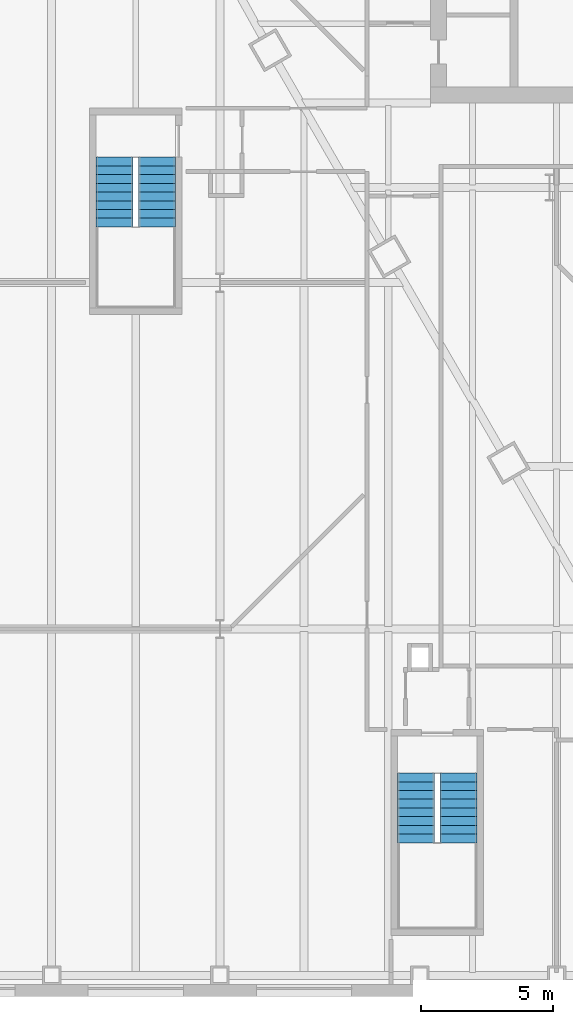
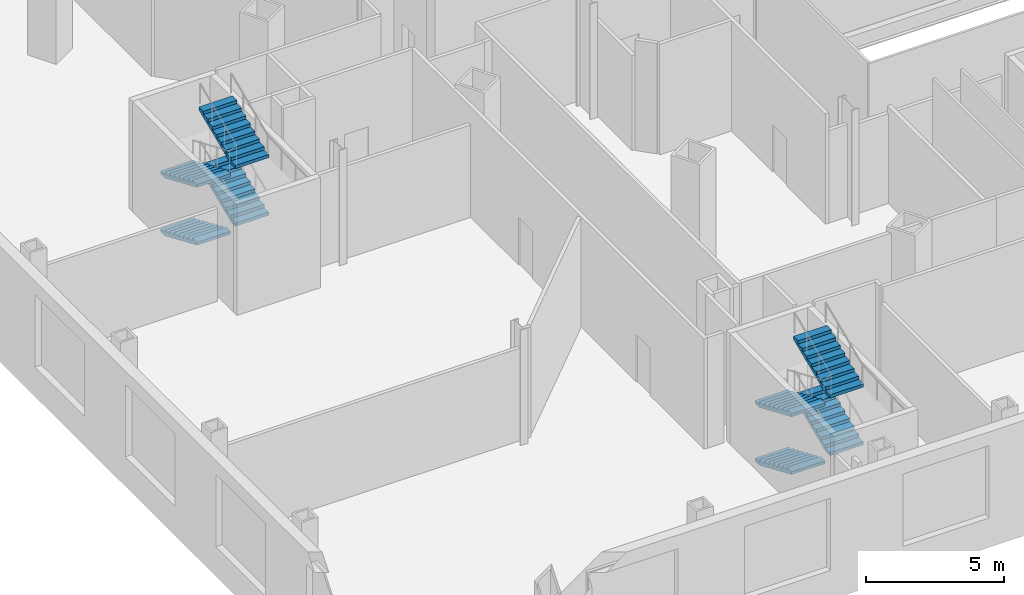
# One storey, part 15 of 20: 8 stair flights, 2 elements without a shape of their own.
"""IFC4 building model written with IfcOpenShell, lengths in metres."""

from ifc_helpers import new_model, si_unit, direction, frame, origin, place, context, subcontext, project, spatial, polygons, material, type_object, element, aggregate, save


model = new_model("IFC4")

# Units and contexts
model_context = context("Model", 3, precision=1e-05, world=origin(), true_north=direction((0.0, 1.0)))
body_context = subcontext(model_context, "Body", "Model", "MODEL_VIEW")
ifc_project = project(units=[si_unit("LENGTHUNIT", "METRE"), si_unit("AREAUNIT", "SQUARE_METRE"), si_unit("VOLUMEUNIT", "CUBIC_METRE"), si_unit("PLANEANGLEUNIT", "RADIAN"), si_unit("MASSUNIT", "GRAM", prefix="KILO")], contexts=[model_context])

# Site, building, storey
site_placement = place(None, origin())
site = spatial("IfcSite", under=ifc_project, at=site_placement, CompositionType="ELEMENT")
building_placement = place(site_placement, origin())
building = spatial("IfcBuilding", under=site, at=building_placement, Name="Njiva Tower", CompositionType="ELEMENT")
storey_placement = place(building_placement, frame((0.0, 0.0, 18.6)))
storey = spatial("IfcBuildingStorey", under=building, at=storey_placement, Name="L03", CompositionType="ELEMENT", Elevation=18.6)

# Stair, stair flights
ifc_material = material(Name="Concrete C40/50", Category="concrete")
stair_type = type_object("IfcStairType", Name="ST2 Exit stair 1400", PredefinedType="HALF_TURN_STAIR", material=ifc_material)
stair_1_placement = place(storey_placement, origin())
stair_1 = element("IfcStair", 1, at=stair_1_placement, inside=storey, type_object=stair_type, Name="Stair D", PredefinedType="DOUBLE_RETURN_STAIR")
stair_flight_type = type_object("IfcStairFlightType", Name="FL2 Stair flight 1400", PredefinedType="STRAIGHT", material=ifc_material)
stair_flight_1_placement = place(storey_placement, frame((-18.05, -25.35, 0.0), z_axis=(0.0, 0.0, 1.0), x_axis=(0.0, -1.0, 0.0)))
stair_flight_1 = element("IfcStairFlight", 2, at=stair_flight_1_placement, type_object=stair_flight_type, Name="ST-D flight 1", NumberOfRisers=9, NumberOfTreads=8, PredefinedType="STRAIGHT", RiserHeight=0.141666667, TreadLength=0.33, context=body_context, shape_type="Tessellation", body=[
    polygons([(0.0, 0.7, 0.0), (0.0, 0.35, 0.0), (0.0, 0.0, 0.0), (0.0, -0.35, 0.0), (0.0, -0.7, 0.0), (0.0, 0.7, 0.1417), (0.0, 0.35, 0.1417), (0.0, 0.0, 0.1417), (0.0, -0.35, 0.1417), (0.0, -0.7, 0.1417), (0.33, 0.7, 0.1417), (0.33, 0.35, 0.1417), (0.33, 0.0, 0.1417), (0.33, -0.35, 0.1417), (0.33, -0.7, 0.1417), (0.33, 0.7, 0.2833), (0.33, 0.35, 0.2833), (0.33, 0.0, 0.2833), (0.33, -0.35, 0.2833), (0.33, -0.7, 0.2833), (0.66, 0.7, 0.2833), (0.66, 0.35, 0.2833), (0.66, 0.0, 0.2833), (0.66, -0.35, 0.2833), (0.66, -0.7, 0.2833), (0.66, 0.7, 0.425), (0.66, 0.35, 0.425), (0.66, 0.0, 0.425), (0.66, -0.35, 0.425), (0.66, -0.7, 0.425), (0.99, 0.7, 0.425), (0.99, 0.35, 0.425), (0.99, 0.0, 0.425), (0.99, -0.35, 0.425), (0.99, -0.7, 0.425), (0.99, 0.7, 0.5667), (0.99, 0.35, 0.5667), (0.99, 0.0, 0.5667), (0.99, -0.35, 0.5667), (0.99, -0.7, 0.5667), (1.32, 0.7, 0.5667), (1.32, 0.35, 0.5667), (1.32, 0.0, 0.5667), (1.32, -0.35, 0.5667), (1.32, -0.7, 0.5667), (1.32, 0.7, 0.7083), (1.32, 0.35, 0.7083), (1.32, 0.0, 0.7083), (1.32, -0.35, 0.7083), (1.32, -0.7, 0.7083), (1.65, 0.7, 0.7083), (1.65, 0.35, 0.7083), (1.65, 0.0, 0.7083), (1.65, -0.35, 0.7083), (1.65, -0.7, 0.7083), (1.65, 0.7, 0.85), (1.65, 0.35, 0.85), (1.65, 0.0, 0.85), (1.65, -0.35, 0.85), (1.65, -0.7, 0.85), (1.98, 0.7, 0.85), (1.98, 0.35, 0.85), (1.98, 0.0, 0.85), (1.98, -0.35, 0.85), (1.98, -0.7, 0.85), (1.98, 0.7, 0.9917), (1.98, 0.35, 0.9917), (1.98, 0.0, 0.9917), (1.98, -0.35, 0.9917), (1.98, -0.7, 0.9917), (2.31, 0.7, 0.9917), (2.31, 0.35, 0.9917), (2.31, 0.0, 0.9917), (2.31, -0.35, 0.9917), (2.31, -0.7, 0.9917), (2.31, 0.7, 1.1333), (2.31, 0.35, 1.1333), (2.31, 0.0, 1.1333), (2.31, -0.35, 1.1333), (2.31, -0.7, 1.1333), (2.64, 0.7, 1.1333), (2.64, 0.35, 1.1333), (2.64, 0.0, 1.1333), (2.64, -0.35, 1.1333), (2.64, -0.7, 1.1333), (2.64, 0.7, 1.0027), (2.64, 0.35, 1.0027), (2.64, 0.0, 1.0027), (2.64, -0.35, 1.0027), (2.64, -0.7, 1.0027), (0.3042, 0.7, 0.0), (0.3042, 0.35, 0.0), (0.3042, 0.0, 0.0), (0.3042, -0.35, 0.0), (0.3042, -0.7, 0.0)], [[[1, 6, 11, 16, 21, 26, 31, 36, 41, 46, 51, 56, 61, 66, 71, 76, 81, 86, 91]], [[95, 90, 85, 80, 75, 70, 65, 60, 55, 50, 45, 40, 35, 30, 25, 20, 15, 10, 5]], [[6, 1, 2, 7]], [[7, 2, 3, 8]], [[8, 3, 4, 9]], [[9, 4, 5, 10]], [[11, 6, 7, 12]], [[12, 7, 8, 13]], [[13, 8, 9, 14]], [[14, 9, 10, 15]], [[16, 11, 12, 17]], [[17, 12, 13, 18]], [[18, 13, 14, 19]], [[19, 14, 15, 20]], [[21, 16, 17, 22]], [[22, 17, 18, 23]], [[23, 18, 19, 24]], [[24, 19, 20, 25]], [[26, 21, 22, 27]], [[27, 22, 23, 28]], [[28, 23, 24, 29]], [[29, 24, 25, 30]], [[31, 26, 27, 32]], [[32, 27, 28, 33]], [[33, 28, 29, 34]], [[34, 29, 30, 35]], [[36, 31, 32, 37]], [[37, 32, 33, 38]], [[38, 33, 34, 39]], [[39, 34, 35, 40]], [[41, 36, 37, 42]], [[42, 37, 38, 43]], [[43, 38, 39, 44]], [[44, 39, 40, 45]], [[46, 41, 42, 47]], [[47, 42, 43, 48]], [[48, 43, 44, 49]], [[49, 44, 45, 50]], [[51, 46, 47, 52]], [[52, 47, 48, 53]], [[53, 48, 49, 54]], [[54, 49, 50, 55]], [[56, 51, 52, 57]], [[57, 52, 53, 58]], [[58, 53, 54, 59]], [[59, 54, 55, 60]], [[61, 56, 57, 62]], [[62, 57, 58, 63]], [[63, 58, 59, 64]], [[64, 59, 60, 65]], [[66, 61, 62, 67]], [[67, 62, 63, 68]], [[68, 63, 64, 69]], [[69, 64, 65, 70]], [[71, 66, 67, 72]], [[72, 67, 68, 73]], [[73, 68, 69, 74]], [[74, 69, 70, 75]], [[76, 71, 72, 77]], [[77, 72, 73, 78]], [[78, 73, 74, 79]], [[79, 74, 75, 80]], [[81, 76, 77, 82]], [[82, 77, 78, 83]], [[83, 78, 79, 84]], [[84, 79, 80, 85]], [[86, 81, 82, 87]], [[87, 82, 83, 88]], [[88, 83, 84, 89]], [[89, 84, 85, 90]], [[91, 86, 87, 92]], [[92, 87, 88, 93]], [[93, 88, 89, 94]], [[94, 89, 90, 95]], [[1, 91, 92, 2]], [[2, 92, 93, 3]], [[3, 93, 94, 4]], [[4, 94, 95, 5]]], closed=True),
])
stair_flight_2_placement = place(storey_placement, frame((-16.45, -27.99, 1.275), z_axis=(0.0, 0.0, 1.0), x_axis=(0.0, 1.0, 0.0)))
stair_flight_2 = element("IfcStairFlight", 3, at=stair_flight_2_placement, type_object=stair_flight_type, Name="ST-D flight 2", NumberOfRisers=9, NumberOfTreads=8, PredefinedType="STRAIGHT", RiserHeight=0.141666667, TreadLength=0.33, context=body_context, shape_type="Tessellation", body=[
    polygons([(0.0, 0.7, 0.0), (0.0, 0.35, 0.0), (0.0, 0.0, 0.0), (0.0, -0.35, 0.0), (0.0, -0.7, 0.0), (0.0, 0.7, 0.1417), (0.0, 0.35, 0.1417), (0.0, 0.0, 0.1417), (0.0, -0.35, 0.1417), (0.0, -0.7, 0.1417), (0.33, 0.7, 0.1417), (0.33, 0.35, 0.1417), (0.33, 0.0, 0.1417), (0.33, -0.35, 0.1417), (0.33, -0.7, 0.1417), (0.33, 0.7, 0.2833), (0.33, 0.35, 0.2833), (0.33, 0.0, 0.2833), (0.33, -0.35, 0.2833), (0.33, -0.7, 0.2833), (0.66, 0.7, 0.2833), (0.66, 0.35, 0.2833), (0.66, 0.0, 0.2833), (0.66, -0.35, 0.2833), (0.66, -0.7, 0.2833), (0.66, 0.7, 0.425), (0.66, 0.35, 0.425), (0.66, 0.0, 0.425), (0.66, -0.35, 0.425), (0.66, -0.7, 0.425), (0.99, 0.7, 0.425), (0.99, 0.35, 0.425), (0.99, 0.0, 0.425), (0.99, -0.35, 0.425), (0.99, -0.7, 0.425), (0.99, 0.7, 0.5667), (0.99, 0.35, 0.5667), (0.99, 0.0, 0.5667), (0.99, -0.35, 0.5667), (0.99, -0.7, 0.5667), (1.32, 0.7, 0.5667), (1.32, 0.35, 0.5667), (1.32, 0.0, 0.5667), (1.32, -0.35, 0.5667), (1.32, -0.7, 0.5667), (1.32, 0.7, 0.7083), (1.32, 0.35, 0.7083), (1.32, 0.0, 0.7083), (1.32, -0.35, 0.7083), (1.32, -0.7, 0.7083), (1.65, 0.7, 0.7083), (1.65, 0.35, 0.7083), (1.65, 0.0, 0.7083), (1.65, -0.35, 0.7083), (1.65, -0.7, 0.7083), (1.65, 0.7, 0.85), (1.65, 0.35, 0.85), (1.65, 0.0, 0.85), (1.65, -0.35, 0.85), (1.65, -0.7, 0.85), (1.98, 0.7, 0.85), (1.98, 0.35, 0.85), (1.98, 0.0, 0.85), (1.98, -0.35, 0.85), (1.98, -0.7, 0.85), (1.98, 0.7, 0.9917), (1.98, 0.35, 0.9917), (1.98, 0.0, 0.9917), (1.98, -0.35, 0.9917), (1.98, -0.7, 0.9917), (2.31, 0.7, 0.9917), (2.31, 0.35, 0.9917), (2.31, 0.0, 0.9917), (2.31, -0.35, 0.9917), (2.31, -0.7, 0.9917), (2.31, 0.7, 1.1333), (2.31, 0.35, 1.1333), (2.31, 0.0, 1.1333), (2.31, -0.35, 1.1333), (2.31, -0.7, 1.1333), (2.64, 0.7, 1.1333), (2.64, 0.35, 1.1333), (2.64, 0.0, 1.1333), (2.64, -0.35, 1.1333), (2.64, -0.7, 1.1333), (2.64, 0.7, 1.0027), (2.64, 0.35, 1.0027), (2.64, 0.0, 1.0027), (2.64, -0.35, 1.0027), (2.64, -0.7, 1.0027), (0.3042, 0.7, 0.0), (0.3042, 0.35, 0.0), (0.3042, 0.0, 0.0), (0.3042, -0.35, 0.0), (0.3042, -0.7, 0.0)], [[[1, 6, 11, 16, 21, 26, 31, 36, 41, 46, 51, 56, 61, 66, 71, 76, 81, 86, 91]], [[95, 90, 85, 80, 75, 70, 65, 60, 55, 50, 45, 40, 35, 30, 25, 20, 15, 10, 5]], [[6, 1, 2, 7]], [[7, 2, 3, 8]], [[8, 3, 4, 9]], [[9, 4, 5, 10]], [[11, 6, 7, 12]], [[12, 7, 8, 13]], [[13, 8, 9, 14]], [[14, 9, 10, 15]], [[16, 11, 12, 17]], [[17, 12, 13, 18]], [[18, 13, 14, 19]], [[19, 14, 15, 20]], [[21, 16, 17, 22]], [[22, 17, 18, 23]], [[23, 18, 19, 24]], [[24, 19, 20, 25]], [[26, 21, 22, 27]], [[27, 22, 23, 28]], [[28, 23, 24, 29]], [[29, 24, 25, 30]], [[31, 26, 27, 32]], [[32, 27, 28, 33]], [[33, 28, 29, 34]], [[34, 29, 30, 35]], [[36, 31, 32, 37]], [[37, 32, 33, 38]], [[38, 33, 34, 39]], [[39, 34, 35, 40]], [[41, 36, 37, 42]], [[42, 37, 38, 43]], [[43, 38, 39, 44]], [[44, 39, 40, 45]], [[46, 41, 42, 47]], [[47, 42, 43, 48]], [[48, 43, 44, 49]], [[49, 44, 45, 50]], [[51, 46, 47, 52]], [[52, 47, 48, 53]], [[53, 48, 49, 54]], [[54, 49, 50, 55]], [[56, 51, 52, 57]], [[57, 52, 53, 58]], [[58, 53, 54, 59]], [[59, 54, 55, 60]], [[61, 56, 57, 62]], [[62, 57, 58, 63]], [[63, 58, 59, 64]], [[64, 59, 60, 65]], [[66, 61, 62, 67]], [[67, 62, 63, 68]], [[68, 63, 64, 69]], [[69, 64, 65, 70]], [[71, 66, 67, 72]], [[72, 67, 68, 73]], [[73, 68, 69, 74]], [[74, 69, 70, 75]], [[76, 71, 72, 77]], [[77, 72, 73, 78]], [[78, 73, 74, 79]], [[79, 74, 75, 80]], [[81, 76, 77, 82]], [[82, 77, 78, 83]], [[83, 78, 79, 84]], [[84, 79, 80, 85]], [[86, 81, 82, 87]], [[87, 82, 83, 88]], [[88, 83, 84, 89]], [[89, 84, 85, 90]], [[91, 86, 87, 92]], [[92, 87, 88, 93]], [[93, 88, 89, 94]], [[94, 89, 90, 95]], [[1, 91, 92, 2]], [[2, 92, 93, 3]], [[3, 93, 94, 4]], [[4, 94, 95, 5]]], closed=True),
])
stair_flight_3_placement = place(storey_placement, frame((-18.05, -25.35, 2.55), z_axis=(0.0, 0.0, 1.0), x_axis=(0.0, -1.0, 0.0)))
stair_flight_3 = element("IfcStairFlight", 4, at=stair_flight_3_placement, type_object=stair_flight_type, Name="ST-D flight 3", NumberOfRisers=9, NumberOfTreads=8, PredefinedType="STRAIGHT", RiserHeight=0.141666667, TreadLength=0.33, context=body_context, shape_type="Tessellation", body=[
    polygons([(0.0, 0.7, 0.0), (0.0, 0.35, 0.0), (0.0, 0.0, 0.0), (0.0, -0.35, 0.0), (0.0, -0.7, 0.0), (0.0, 0.7, 0.1417), (0.0, 0.35, 0.1417), (0.0, 0.0, 0.1417), (0.0, -0.35, 0.1417), (0.0, -0.7, 0.1417), (0.33, 0.7, 0.1417), (0.33, 0.35, 0.1417), (0.33, 0.0, 0.1417), (0.33, -0.35, 0.1417), (0.33, -0.7, 0.1417), (0.33, 0.7, 0.2833), (0.33, 0.35, 0.2833), (0.33, 0.0, 0.2833), (0.33, -0.35, 0.2833), (0.33, -0.7, 0.2833), (0.66, 0.7, 0.2833), (0.66, 0.35, 0.2833), (0.66, 0.0, 0.2833), (0.66, -0.35, 0.2833), (0.66, -0.7, 0.2833), (0.66, 0.7, 0.425), (0.66, 0.35, 0.425), (0.66, 0.0, 0.425), (0.66, -0.35, 0.425), (0.66, -0.7, 0.425), (0.99, 0.7, 0.425), (0.99, 0.35, 0.425), (0.99, 0.0, 0.425), (0.99, -0.35, 0.425), (0.99, -0.7, 0.425), (0.99, 0.7, 0.5667), (0.99, 0.35, 0.5667), (0.99, 0.0, 0.5667), (0.99, -0.35, 0.5667), (0.99, -0.7, 0.5667), (1.32, 0.7, 0.5667), (1.32, 0.35, 0.5667), (1.32, 0.0, 0.5667), (1.32, -0.35, 0.5667), (1.32, -0.7, 0.5667), (1.32, 0.7, 0.7083), (1.32, 0.35, 0.7083), (1.32, 0.0, 0.7083), (1.32, -0.35, 0.7083), (1.32, -0.7, 0.7083), (1.65, 0.7, 0.7083), (1.65, 0.35, 0.7083), (1.65, 0.0, 0.7083), (1.65, -0.35, 0.7083), (1.65, -0.7, 0.7083), (1.65, 0.7, 0.85), (1.65, 0.35, 0.85), (1.65, 0.0, 0.85), (1.65, -0.35, 0.85), (1.65, -0.7, 0.85), (1.98, 0.7, 0.85), (1.98, 0.35, 0.85), (1.98, 0.0, 0.85), (1.98, -0.35, 0.85), (1.98, -0.7, 0.85), (1.98, 0.7, 0.9917), (1.98, 0.35, 0.9917), (1.98, 0.0, 0.9917), (1.98, -0.35, 0.9917), (1.98, -0.7, 0.9917), (2.31, 0.7, 0.9917), (2.31, 0.35, 0.9917), (2.31, 0.0, 0.9917), (2.31, -0.35, 0.9917), (2.31, -0.7, 0.9917), (2.31, 0.7, 1.1333), (2.31, 0.35, 1.1333), (2.31, 0.0, 1.1333), (2.31, -0.35, 1.1333), (2.31, -0.7, 1.1333), (2.64, 0.7, 1.1333), (2.64, 0.35, 1.1333), (2.64, 0.0, 1.1333), (2.64, -0.35, 1.1333), (2.64, -0.7, 1.1333), (2.64, 0.7, 1.0027), (2.64, 0.35, 1.0027), (2.64, 0.0, 1.0027), (2.64, -0.35, 1.0027), (2.64, -0.7, 1.0027), (0.3042, 0.7, 0.0), (0.3042, 0.35, 0.0), (0.3042, 0.0, 0.0), (0.3042, -0.35, 0.0), (0.3042, -0.7, 0.0)], [[[1, 6, 11, 16, 21, 26, 31, 36, 41, 46, 51, 56, 61, 66, 71, 76, 81, 86, 91]], [[95, 90, 85, 80, 75, 70, 65, 60, 55, 50, 45, 40, 35, 30, 25, 20, 15, 10, 5]], [[6, 1, 2, 7]], [[7, 2, 3, 8]], [[8, 3, 4, 9]], [[9, 4, 5, 10]], [[11, 6, 7, 12]], [[12, 7, 8, 13]], [[13, 8, 9, 14]], [[14, 9, 10, 15]], [[16, 11, 12, 17]], [[17, 12, 13, 18]], [[18, 13, 14, 19]], [[19, 14, 15, 20]], [[21, 16, 17, 22]], [[22, 17, 18, 23]], [[23, 18, 19, 24]], [[24, 19, 20, 25]], [[26, 21, 22, 27]], [[27, 22, 23, 28]], [[28, 23, 24, 29]], [[29, 24, 25, 30]], [[31, 26, 27, 32]], [[32, 27, 28, 33]], [[33, 28, 29, 34]], [[34, 29, 30, 35]], [[36, 31, 32, 37]], [[37, 32, 33, 38]], [[38, 33, 34, 39]], [[39, 34, 35, 40]], [[41, 36, 37, 42]], [[42, 37, 38, 43]], [[43, 38, 39, 44]], [[44, 39, 40, 45]], [[46, 41, 42, 47]], [[47, 42, 43, 48]], [[48, 43, 44, 49]], [[49, 44, 45, 50]], [[51, 46, 47, 52]], [[52, 47, 48, 53]], [[53, 48, 49, 54]], [[54, 49, 50, 55]], [[56, 51, 52, 57]], [[57, 52, 53, 58]], [[58, 53, 54, 59]], [[59, 54, 55, 60]], [[61, 56, 57, 62]], [[62, 57, 58, 63]], [[63, 58, 59, 64]], [[64, 59, 60, 65]], [[66, 61, 62, 67]], [[67, 62, 63, 68]], [[68, 63, 64, 69]], [[69, 64, 65, 70]], [[71, 66, 67, 72]], [[72, 67, 68, 73]], [[73, 68, 69, 74]], [[74, 69, 70, 75]], [[76, 71, 72, 77]], [[77, 72, 73, 78]], [[78, 73, 74, 79]], [[79, 74, 75, 80]], [[81, 76, 77, 82]], [[82, 77, 78, 83]], [[83, 78, 79, 84]], [[84, 79, 80, 85]], [[86, 81, 82, 87]], [[87, 82, 83, 88]], [[88, 83, 84, 89]], [[89, 84, 85, 90]], [[91, 86, 87, 92]], [[92, 87, 88, 93]], [[93, 88, 89, 94]], [[94, 89, 90, 95]], [[1, 91, 92, 2]], [[2, 92, 93, 3]], [[3, 93, 94, 4]], [[4, 94, 95, 5]]], closed=True),
])
stair_flight_4_placement = place(storey_placement, frame((-16.45, -27.99, 3.825), z_axis=(0.0, 0.0, 1.0), x_axis=(0.0, 1.0, 0.0)))
stair_flight_4 = element("IfcStairFlight", 5, at=stair_flight_4_placement, type_object=stair_flight_type, Name="ST-D flight 4", NumberOfRisers=9, NumberOfTreads=8, PredefinedType="STRAIGHT", RiserHeight=0.141666667, TreadLength=0.33, context=body_context, shape_type="Tessellation", body=[
    polygons([(0.0, 0.7, 0.0), (0.0, 0.35, 0.0), (0.0, 0.0, 0.0), (0.0, -0.35, 0.0), (0.0, -0.7, 0.0), (0.0, 0.7, 0.1417), (0.0, 0.35, 0.1417), (0.0, 0.0, 0.1417), (0.0, -0.35, 0.1417), (0.0, -0.7, 0.1417), (0.33, 0.7, 0.1417), (0.33, 0.35, 0.1417), (0.33, 0.0, 0.1417), (0.33, -0.35, 0.1417), (0.33, -0.7, 0.1417), (0.33, 0.7, 0.2833), (0.33, 0.35, 0.2833), (0.33, 0.0, 0.2833), (0.33, -0.35, 0.2833), (0.33, -0.7, 0.2833), (0.66, 0.7, 0.2833), (0.66, 0.35, 0.2833), (0.66, 0.0, 0.2833), (0.66, -0.35, 0.2833), (0.66, -0.7, 0.2833), (0.66, 0.7, 0.425), (0.66, 0.35, 0.425), (0.66, 0.0, 0.425), (0.66, -0.35, 0.425), (0.66, -0.7, 0.425), (0.99, 0.7, 0.425), (0.99, 0.35, 0.425), (0.99, 0.0, 0.425), (0.99, -0.35, 0.425), (0.99, -0.7, 0.425), (0.99, 0.7, 0.5667), (0.99, 0.35, 0.5667), (0.99, 0.0, 0.5667), (0.99, -0.35, 0.5667), (0.99, -0.7, 0.5667), (1.32, 0.7, 0.5667), (1.32, 0.35, 0.5667), (1.32, 0.0, 0.5667), (1.32, -0.35, 0.5667), (1.32, -0.7, 0.5667), (1.32, 0.7, 0.7083), (1.32, 0.35, 0.7083), (1.32, 0.0, 0.7083), (1.32, -0.35, 0.7083), (1.32, -0.7, 0.7083), (1.65, 0.7, 0.7083), (1.65, 0.35, 0.7083), (1.65, 0.0, 0.7083), (1.65, -0.35, 0.7083), (1.65, -0.7, 0.7083), (1.65, 0.7, 0.85), (1.65, 0.35, 0.85), (1.65, 0.0, 0.85), (1.65, -0.35, 0.85), (1.65, -0.7, 0.85), (1.98, 0.7, 0.85), (1.98, 0.35, 0.85), (1.98, 0.0, 0.85), (1.98, -0.35, 0.85), (1.98, -0.7, 0.85), (1.98, 0.7, 0.9917), (1.98, 0.35, 0.9917), (1.98, 0.0, 0.9917), (1.98, -0.35, 0.9917), (1.98, -0.7, 0.9917), (2.31, 0.7, 0.9917), (2.31, 0.35, 0.9917), (2.31, 0.0, 0.9917), (2.31, -0.35, 0.9917), (2.31, -0.7, 0.9917), (2.31, 0.7, 1.1333), (2.31, 0.35, 1.1333), (2.31, 0.0, 1.1333), (2.31, -0.35, 1.1333), (2.31, -0.7, 1.1333), (2.64, 0.7, 1.1333), (2.64, 0.35, 1.1333), (2.64, 0.0, 1.1333), (2.64, -0.35, 1.1333), (2.64, -0.7, 1.1333), (2.64, 0.7, 1.0027), (2.64, 0.35, 1.0027), (2.64, 0.0, 1.0027), (2.64, -0.35, 1.0027), (2.64, -0.7, 1.0027), (0.3042, 0.7, 0.0), (0.3042, 0.35, 0.0), (0.3042, 0.0, 0.0), (0.3042, -0.35, 0.0), (0.3042, -0.7, 0.0)], [[[1, 6, 11, 16, 21, 26, 31, 36, 41, 46, 51, 56, 61, 66, 71, 76, 81, 86, 91]], [[95, 90, 85, 80, 75, 70, 65, 60, 55, 50, 45, 40, 35, 30, 25, 20, 15, 10, 5]], [[6, 1, 2, 7]], [[7, 2, 3, 8]], [[8, 3, 4, 9]], [[9, 4, 5, 10]], [[11, 6, 7, 12]], [[12, 7, 8, 13]], [[13, 8, 9, 14]], [[14, 9, 10, 15]], [[16, 11, 12, 17]], [[17, 12, 13, 18]], [[18, 13, 14, 19]], [[19, 14, 15, 20]], [[21, 16, 17, 22]], [[22, 17, 18, 23]], [[23, 18, 19, 24]], [[24, 19, 20, 25]], [[26, 21, 22, 27]], [[27, 22, 23, 28]], [[28, 23, 24, 29]], [[29, 24, 25, 30]], [[31, 26, 27, 32]], [[32, 27, 28, 33]], [[33, 28, 29, 34]], [[34, 29, 30, 35]], [[36, 31, 32, 37]], [[37, 32, 33, 38]], [[38, 33, 34, 39]], [[39, 34, 35, 40]], [[41, 36, 37, 42]], [[42, 37, 38, 43]], [[43, 38, 39, 44]], [[44, 39, 40, 45]], [[46, 41, 42, 47]], [[47, 42, 43, 48]], [[48, 43, 44, 49]], [[49, 44, 45, 50]], [[51, 46, 47, 52]], [[52, 47, 48, 53]], [[53, 48, 49, 54]], [[54, 49, 50, 55]], [[56, 51, 52, 57]], [[57, 52, 53, 58]], [[58, 53, 54, 59]], [[59, 54, 55, 60]], [[61, 56, 57, 62]], [[62, 57, 58, 63]], [[63, 58, 59, 64]], [[64, 59, 60, 65]], [[66, 61, 62, 67]], [[67, 62, 63, 68]], [[68, 63, 64, 69]], [[69, 64, 65, 70]], [[71, 66, 67, 72]], [[72, 67, 68, 73]], [[73, 68, 69, 74]], [[74, 69, 70, 75]], [[76, 71, 72, 77]], [[77, 72, 73, 78]], [[78, 73, 74, 79]], [[79, 74, 75, 80]], [[81, 76, 77, 82]], [[82, 77, 78, 83]], [[83, 78, 79, 84]], [[84, 79, 80, 85]], [[86, 81, 82, 87]], [[87, 82, 83, 88]], [[88, 83, 84, 89]], [[89, 84, 85, 90]], [[91, 86, 87, 92]], [[92, 87, 88, 93]], [[93, 88, 89, 94]], [[94, 89, 90, 95]], [[1, 91, 92, 2]], [[2, 92, 93, 3]], [[3, 93, 94, 4]], [[4, 94, 95, 5]]], closed=True),
])
aggregate(stair_1, [stair_flight_1, stair_flight_2, stair_flight_3, stair_flight_4])

stair_2_placement = place(storey_placement, origin())
stair_2 = element("IfcStair", 6, at=stair_2_placement, inside=storey, type_object=stair_type, Name="Stair F", PredefinedType="DOUBLE_RETURN_STAIR")
stair_flight_5_placement = place(storey_placement, frame((-29.45, -2.05, 0.0), z_axis=(0.0, 0.0, 1.0), x_axis=(0.0, -1.0, 0.0)))
stair_flight_5 = element("IfcStairFlight", 7, at=stair_flight_5_placement, type_object=stair_flight_type, Name="ST-F flight 1", NumberOfRisers=9, NumberOfTreads=8, PredefinedType="STRAIGHT", RiserHeight=0.141666667, TreadLength=0.33, context=body_context, shape_type="Tessellation", body=[
    polygons([(0.0, 0.7, 0.0), (0.0, 0.35, 0.0), (0.0, 0.0, 0.0), (0.0, -0.35, 0.0), (0.0, -0.7, 0.0), (0.0, 0.7, 0.1417), (0.0, 0.35, 0.1417), (0.0, 0.0, 0.1417), (0.0, -0.35, 0.1417), (0.0, -0.7, 0.1417), (0.33, 0.7, 0.1417), (0.33, 0.35, 0.1417), (0.33, 0.0, 0.1417), (0.33, -0.35, 0.1417), (0.33, -0.7, 0.1417), (0.33, 0.7, 0.2833), (0.33, 0.35, 0.2833), (0.33, 0.0, 0.2833), (0.33, -0.35, 0.2833), (0.33, -0.7, 0.2833), (0.66, 0.7, 0.2833), (0.66, 0.35, 0.2833), (0.66, 0.0, 0.2833), (0.66, -0.35, 0.2833), (0.66, -0.7, 0.2833), (0.66, 0.7, 0.425), (0.66, 0.35, 0.425), (0.66, 0.0, 0.425), (0.66, -0.35, 0.425), (0.66, -0.7, 0.425), (0.99, 0.7, 0.425), (0.99, 0.35, 0.425), (0.99, 0.0, 0.425), (0.99, -0.35, 0.425), (0.99, -0.7, 0.425), (0.99, 0.7, 0.5667), (0.99, 0.35, 0.5667), (0.99, 0.0, 0.5667), (0.99, -0.35, 0.5667), (0.99, -0.7, 0.5667), (1.32, 0.7, 0.5667), (1.32, 0.35, 0.5667), (1.32, 0.0, 0.5667), (1.32, -0.35, 0.5667), (1.32, -0.7, 0.5667), (1.32, 0.7, 0.7083), (1.32, 0.35, 0.7083), (1.32, 0.0, 0.7083), (1.32, -0.35, 0.7083), (1.32, -0.7, 0.7083), (1.65, 0.7, 0.7083), (1.65, 0.35, 0.7083), (1.65, 0.0, 0.7083), (1.65, -0.35, 0.7083), (1.65, -0.7, 0.7083), (1.65, 0.7, 0.85), (1.65, 0.35, 0.85), (1.65, 0.0, 0.85), (1.65, -0.35, 0.85), (1.65, -0.7, 0.85), (1.98, 0.7, 0.85), (1.98, 0.35, 0.85), (1.98, 0.0, 0.85), (1.98, -0.35, 0.85), (1.98, -0.7, 0.85), (1.98, 0.7, 0.9917), (1.98, 0.35, 0.9917), (1.98, 0.0, 0.9917), (1.98, -0.35, 0.9917), (1.98, -0.7, 0.9917), (2.31, 0.7, 0.9917), (2.31, 0.35, 0.9917), (2.31, 0.0, 0.9917), (2.31, -0.35, 0.9917), (2.31, -0.7, 0.9917), (2.31, 0.7, 1.1333), (2.31, 0.35, 1.1333), (2.31, 0.0, 1.1333), (2.31, -0.35, 1.1333), (2.31, -0.7, 1.1333), (2.64, 0.7, 1.1333), (2.64, 0.35, 1.1333), (2.64, 0.0, 1.1333), (2.64, -0.35, 1.1333), (2.64, -0.7, 1.1333), (2.64, 0.7, 1.0027), (2.64, 0.35, 1.0027), (2.64, 0.0, 1.0027), (2.64, -0.35, 1.0027), (2.64, -0.7, 1.0027), (0.3042, 0.7, 0.0), (0.3042, 0.35, 0.0), (0.3042, 0.0, 0.0), (0.3042, -0.35, 0.0), (0.3042, -0.7, 0.0)], [[[1, 6, 11, 16, 21, 26, 31, 36, 41, 46, 51, 56, 61, 66, 71, 76, 81, 86, 91]], [[95, 90, 85, 80, 75, 70, 65, 60, 55, 50, 45, 40, 35, 30, 25, 20, 15, 10, 5]], [[6, 1, 2, 7]], [[7, 2, 3, 8]], [[8, 3, 4, 9]], [[9, 4, 5, 10]], [[11, 6, 7, 12]], [[12, 7, 8, 13]], [[13, 8, 9, 14]], [[14, 9, 10, 15]], [[16, 11, 12, 17]], [[17, 12, 13, 18]], [[18, 13, 14, 19]], [[19, 14, 15, 20]], [[21, 16, 17, 22]], [[22, 17, 18, 23]], [[23, 18, 19, 24]], [[24, 19, 20, 25]], [[26, 21, 22, 27]], [[27, 22, 23, 28]], [[28, 23, 24, 29]], [[29, 24, 25, 30]], [[31, 26, 27, 32]], [[32, 27, 28, 33]], [[33, 28, 29, 34]], [[34, 29, 30, 35]], [[36, 31, 32, 37]], [[37, 32, 33, 38]], [[38, 33, 34, 39]], [[39, 34, 35, 40]], [[41, 36, 37, 42]], [[42, 37, 38, 43]], [[43, 38, 39, 44]], [[44, 39, 40, 45]], [[46, 41, 42, 47]], [[47, 42, 43, 48]], [[48, 43, 44, 49]], [[49, 44, 45, 50]], [[51, 46, 47, 52]], [[52, 47, 48, 53]], [[53, 48, 49, 54]], [[54, 49, 50, 55]], [[56, 51, 52, 57]], [[57, 52, 53, 58]], [[58, 53, 54, 59]], [[59, 54, 55, 60]], [[61, 56, 57, 62]], [[62, 57, 58, 63]], [[63, 58, 59, 64]], [[64, 59, 60, 65]], [[66, 61, 62, 67]], [[67, 62, 63, 68]], [[68, 63, 64, 69]], [[69, 64, 65, 70]], [[71, 66, 67, 72]], [[72, 67, 68, 73]], [[73, 68, 69, 74]], [[74, 69, 70, 75]], [[76, 71, 72, 77]], [[77, 72, 73, 78]], [[78, 73, 74, 79]], [[79, 74, 75, 80]], [[81, 76, 77, 82]], [[82, 77, 78, 83]], [[83, 78, 79, 84]], [[84, 79, 80, 85]], [[86, 81, 82, 87]], [[87, 82, 83, 88]], [[88, 83, 84, 89]], [[89, 84, 85, 90]], [[91, 86, 87, 92]], [[92, 87, 88, 93]], [[93, 88, 89, 94]], [[94, 89, 90, 95]], [[1, 91, 92, 2]], [[2, 92, 93, 3]], [[3, 93, 94, 4]], [[4, 94, 95, 5]]], closed=True),
])
stair_flight_6_placement = place(storey_placement, frame((-27.85, -4.69, 1.275), z_axis=(0.0, 0.0, 1.0), x_axis=(0.0, 1.0, 0.0)))
stair_flight_6 = element("IfcStairFlight", 8, at=stair_flight_6_placement, type_object=stair_flight_type, Name="ST-F flight 2", NumberOfRisers=9, NumberOfTreads=8, PredefinedType="STRAIGHT", RiserHeight=0.141666667, TreadLength=0.33, context=body_context, shape_type="Tessellation", body=[
    polygons([(0.0, 0.7, 0.0), (0.0, 0.35, 0.0), (0.0, 0.0, 0.0), (0.0, -0.35, 0.0), (0.0, -0.7, 0.0), (0.0, 0.7, 0.1417), (0.0, 0.35, 0.1417), (0.0, 0.0, 0.1417), (0.0, -0.35, 0.1417), (0.0, -0.7, 0.1417), (0.33, 0.7, 0.1417), (0.33, 0.35, 0.1417), (0.33, 0.0, 0.1417), (0.33, -0.35, 0.1417), (0.33, -0.7, 0.1417), (0.33, 0.7, 0.2833), (0.33, 0.35, 0.2833), (0.33, 0.0, 0.2833), (0.33, -0.35, 0.2833), (0.33, -0.7, 0.2833), (0.66, 0.7, 0.2833), (0.66, 0.35, 0.2833), (0.66, 0.0, 0.2833), (0.66, -0.35, 0.2833), (0.66, -0.7, 0.2833), (0.66, 0.7, 0.425), (0.66, 0.35, 0.425), (0.66, 0.0, 0.425), (0.66, -0.35, 0.425), (0.66, -0.7, 0.425), (0.99, 0.7, 0.425), (0.99, 0.35, 0.425), (0.99, 0.0, 0.425), (0.99, -0.35, 0.425), (0.99, -0.7, 0.425), (0.99, 0.7, 0.5667), (0.99, 0.35, 0.5667), (0.99, 0.0, 0.5667), (0.99, -0.35, 0.5667), (0.99, -0.7, 0.5667), (1.32, 0.7, 0.5667), (1.32, 0.35, 0.5667), (1.32, 0.0, 0.5667), (1.32, -0.35, 0.5667), (1.32, -0.7, 0.5667), (1.32, 0.7, 0.7083), (1.32, 0.35, 0.7083), (1.32, 0.0, 0.7083), (1.32, -0.35, 0.7083), (1.32, -0.7, 0.7083), (1.65, 0.7, 0.7083), (1.65, 0.35, 0.7083), (1.65, 0.0, 0.7083), (1.65, -0.35, 0.7083), (1.65, -0.7, 0.7083), (1.65, 0.7, 0.85), (1.65, 0.35, 0.85), (1.65, 0.0, 0.85), (1.65, -0.35, 0.85), (1.65, -0.7, 0.85), (1.98, 0.7, 0.85), (1.98, 0.35, 0.85), (1.98, 0.0, 0.85), (1.98, -0.35, 0.85), (1.98, -0.7, 0.85), (1.98, 0.7, 0.9917), (1.98, 0.35, 0.9917), (1.98, 0.0, 0.9917), (1.98, -0.35, 0.9917), (1.98, -0.7, 0.9917), (2.31, 0.7, 0.9917), (2.31, 0.35, 0.9917), (2.31, 0.0, 0.9917), (2.31, -0.35, 0.9917), (2.31, -0.7, 0.9917), (2.31, 0.7, 1.1333), (2.31, 0.35, 1.1333), (2.31, 0.0, 1.1333), (2.31, -0.35, 1.1333), (2.31, -0.7, 1.1333), (2.64, 0.7, 1.1333), (2.64, 0.35, 1.1333), (2.64, 0.0, 1.1333), (2.64, -0.35, 1.1333), (2.64, -0.7, 1.1333), (2.64, 0.7, 1.0027), (2.64, 0.35, 1.0027), (2.64, 0.0, 1.0027), (2.64, -0.35, 1.0027), (2.64, -0.7, 1.0027), (0.3042, 0.7, 0.0), (0.3042, 0.35, 0.0), (0.3042, 0.0, 0.0), (0.3042, -0.35, 0.0), (0.3042, -0.7, 0.0)], [[[1, 6, 11, 16, 21, 26, 31, 36, 41, 46, 51, 56, 61, 66, 71, 76, 81, 86, 91]], [[95, 90, 85, 80, 75, 70, 65, 60, 55, 50, 45, 40, 35, 30, 25, 20, 15, 10, 5]], [[6, 1, 2, 7]], [[7, 2, 3, 8]], [[8, 3, 4, 9]], [[9, 4, 5, 10]], [[11, 6, 7, 12]], [[12, 7, 8, 13]], [[13, 8, 9, 14]], [[14, 9, 10, 15]], [[16, 11, 12, 17]], [[17, 12, 13, 18]], [[18, 13, 14, 19]], [[19, 14, 15, 20]], [[21, 16, 17, 22]], [[22, 17, 18, 23]], [[23, 18, 19, 24]], [[24, 19, 20, 25]], [[26, 21, 22, 27]], [[27, 22, 23, 28]], [[28, 23, 24, 29]], [[29, 24, 25, 30]], [[31, 26, 27, 32]], [[32, 27, 28, 33]], [[33, 28, 29, 34]], [[34, 29, 30, 35]], [[36, 31, 32, 37]], [[37, 32, 33, 38]], [[38, 33, 34, 39]], [[39, 34, 35, 40]], [[41, 36, 37, 42]], [[42, 37, 38, 43]], [[43, 38, 39, 44]], [[44, 39, 40, 45]], [[46, 41, 42, 47]], [[47, 42, 43, 48]], [[48, 43, 44, 49]], [[49, 44, 45, 50]], [[51, 46, 47, 52]], [[52, 47, 48, 53]], [[53, 48, 49, 54]], [[54, 49, 50, 55]], [[56, 51, 52, 57]], [[57, 52, 53, 58]], [[58, 53, 54, 59]], [[59, 54, 55, 60]], [[61, 56, 57, 62]], [[62, 57, 58, 63]], [[63, 58, 59, 64]], [[64, 59, 60, 65]], [[66, 61, 62, 67]], [[67, 62, 63, 68]], [[68, 63, 64, 69]], [[69, 64, 65, 70]], [[71, 66, 67, 72]], [[72, 67, 68, 73]], [[73, 68, 69, 74]], [[74, 69, 70, 75]], [[76, 71, 72, 77]], [[77, 72, 73, 78]], [[78, 73, 74, 79]], [[79, 74, 75, 80]], [[81, 76, 77, 82]], [[82, 77, 78, 83]], [[83, 78, 79, 84]], [[84, 79, 80, 85]], [[86, 81, 82, 87]], [[87, 82, 83, 88]], [[88, 83, 84, 89]], [[89, 84, 85, 90]], [[91, 86, 87, 92]], [[92, 87, 88, 93]], [[93, 88, 89, 94]], [[94, 89, 90, 95]], [[1, 91, 92, 2]], [[2, 92, 93, 3]], [[3, 93, 94, 4]], [[4, 94, 95, 5]]], closed=True),
])
stair_flight_7_placement = place(storey_placement, frame((-29.45, -2.05, 2.55), z_axis=(0.0, 0.0, 1.0), x_axis=(0.0, -1.0, 0.0)))
stair_flight_7 = element("IfcStairFlight", 9, at=stair_flight_7_placement, type_object=stair_flight_type, Name="ST-F flight 3", NumberOfRisers=9, NumberOfTreads=8, PredefinedType="STRAIGHT", RiserHeight=0.141666667, TreadLength=0.33, context=body_context, shape_type="Tessellation", body=[
    polygons([(0.0, 0.7, 0.0), (0.0, 0.35, 0.0), (0.0, 0.0, 0.0), (0.0, -0.35, 0.0), (0.0, -0.7, 0.0), (0.0, 0.7, 0.1417), (0.0, 0.35, 0.1417), (0.0, 0.0, 0.1417), (0.0, -0.35, 0.1417), (0.0, -0.7, 0.1417), (0.33, 0.7, 0.1417), (0.33, 0.35, 0.1417), (0.33, 0.0, 0.1417), (0.33, -0.35, 0.1417), (0.33, -0.7, 0.1417), (0.33, 0.7, 0.2833), (0.33, 0.35, 0.2833), (0.33, 0.0, 0.2833), (0.33, -0.35, 0.2833), (0.33, -0.7, 0.2833), (0.66, 0.7, 0.2833), (0.66, 0.35, 0.2833), (0.66, 0.0, 0.2833), (0.66, -0.35, 0.2833), (0.66, -0.7, 0.2833), (0.66, 0.7, 0.425), (0.66, 0.35, 0.425), (0.66, 0.0, 0.425), (0.66, -0.35, 0.425), (0.66, -0.7, 0.425), (0.99, 0.7, 0.425), (0.99, 0.35, 0.425), (0.99, 0.0, 0.425), (0.99, -0.35, 0.425), (0.99, -0.7, 0.425), (0.99, 0.7, 0.5667), (0.99, 0.35, 0.5667), (0.99, 0.0, 0.5667), (0.99, -0.35, 0.5667), (0.99, -0.7, 0.5667), (1.32, 0.7, 0.5667), (1.32, 0.35, 0.5667), (1.32, 0.0, 0.5667), (1.32, -0.35, 0.5667), (1.32, -0.7, 0.5667), (1.32, 0.7, 0.7083), (1.32, 0.35, 0.7083), (1.32, 0.0, 0.7083), (1.32, -0.35, 0.7083), (1.32, -0.7, 0.7083), (1.65, 0.7, 0.7083), (1.65, 0.35, 0.7083), (1.65, 0.0, 0.7083), (1.65, -0.35, 0.7083), (1.65, -0.7, 0.7083), (1.65, 0.7, 0.85), (1.65, 0.35, 0.85), (1.65, 0.0, 0.85), (1.65, -0.35, 0.85), (1.65, -0.7, 0.85), (1.98, 0.7, 0.85), (1.98, 0.35, 0.85), (1.98, 0.0, 0.85), (1.98, -0.35, 0.85), (1.98, -0.7, 0.85), (1.98, 0.7, 0.9917), (1.98, 0.35, 0.9917), (1.98, 0.0, 0.9917), (1.98, -0.35, 0.9917), (1.98, -0.7, 0.9917), (2.31, 0.7, 0.9917), (2.31, 0.35, 0.9917), (2.31, 0.0, 0.9917), (2.31, -0.35, 0.9917), (2.31, -0.7, 0.9917), (2.31, 0.7, 1.1333), (2.31, 0.35, 1.1333), (2.31, 0.0, 1.1333), (2.31, -0.35, 1.1333), (2.31, -0.7, 1.1333), (2.64, 0.7, 1.1333), (2.64, 0.35, 1.1333), (2.64, 0.0, 1.1333), (2.64, -0.35, 1.1333), (2.64, -0.7, 1.1333), (2.64, 0.7, 1.0027), (2.64, 0.35, 1.0027), (2.64, 0.0, 1.0027), (2.64, -0.35, 1.0027), (2.64, -0.7, 1.0027), (0.3042, 0.7, 0.0), (0.3042, 0.35, 0.0), (0.3042, 0.0, 0.0), (0.3042, -0.35, 0.0), (0.3042, -0.7, 0.0)], [[[1, 6, 11, 16, 21, 26, 31, 36, 41, 46, 51, 56, 61, 66, 71, 76, 81, 86, 91]], [[95, 90, 85, 80, 75, 70, 65, 60, 55, 50, 45, 40, 35, 30, 25, 20, 15, 10, 5]], [[6, 1, 2, 7]], [[7, 2, 3, 8]], [[8, 3, 4, 9]], [[9, 4, 5, 10]], [[11, 6, 7, 12]], [[12, 7, 8, 13]], [[13, 8, 9, 14]], [[14, 9, 10, 15]], [[16, 11, 12, 17]], [[17, 12, 13, 18]], [[18, 13, 14, 19]], [[19, 14, 15, 20]], [[21, 16, 17, 22]], [[22, 17, 18, 23]], [[23, 18, 19, 24]], [[24, 19, 20, 25]], [[26, 21, 22, 27]], [[27, 22, 23, 28]], [[28, 23, 24, 29]], [[29, 24, 25, 30]], [[31, 26, 27, 32]], [[32, 27, 28, 33]], [[33, 28, 29, 34]], [[34, 29, 30, 35]], [[36, 31, 32, 37]], [[37, 32, 33, 38]], [[38, 33, 34, 39]], [[39, 34, 35, 40]], [[41, 36, 37, 42]], [[42, 37, 38, 43]], [[43, 38, 39, 44]], [[44, 39, 40, 45]], [[46, 41, 42, 47]], [[47, 42, 43, 48]], [[48, 43, 44, 49]], [[49, 44, 45, 50]], [[51, 46, 47, 52]], [[52, 47, 48, 53]], [[53, 48, 49, 54]], [[54, 49, 50, 55]], [[56, 51, 52, 57]], [[57, 52, 53, 58]], [[58, 53, 54, 59]], [[59, 54, 55, 60]], [[61, 56, 57, 62]], [[62, 57, 58, 63]], [[63, 58, 59, 64]], [[64, 59, 60, 65]], [[66, 61, 62, 67]], [[67, 62, 63, 68]], [[68, 63, 64, 69]], [[69, 64, 65, 70]], [[71, 66, 67, 72]], [[72, 67, 68, 73]], [[73, 68, 69, 74]], [[74, 69, 70, 75]], [[76, 71, 72, 77]], [[77, 72, 73, 78]], [[78, 73, 74, 79]], [[79, 74, 75, 80]], [[81, 76, 77, 82]], [[82, 77, 78, 83]], [[83, 78, 79, 84]], [[84, 79, 80, 85]], [[86, 81, 82, 87]], [[87, 82, 83, 88]], [[88, 83, 84, 89]], [[89, 84, 85, 90]], [[91, 86, 87, 92]], [[92, 87, 88, 93]], [[93, 88, 89, 94]], [[94, 89, 90, 95]], [[1, 91, 92, 2]], [[2, 92, 93, 3]], [[3, 93, 94, 4]], [[4, 94, 95, 5]]], closed=True),
])
stair_flight_8_placement = place(storey_placement, frame((-27.85, -4.69, 3.825), z_axis=(0.0, 0.0, 1.0), x_axis=(0.0, 1.0, 0.0)))
stair_flight_8 = element("IfcStairFlight", 10, at=stair_flight_8_placement, type_object=stair_flight_type, Name="ST-F flight 4", NumberOfRisers=9, NumberOfTreads=8, PredefinedType="STRAIGHT", RiserHeight=0.141666667, TreadLength=0.33, context=body_context, shape_type="Tessellation", body=[
    polygons([(0.0, 0.7, 0.0), (0.0, 0.35, 0.0), (0.0, 0.0, 0.0), (0.0, -0.35, 0.0), (0.0, -0.7, 0.0), (0.0, 0.7, 0.1417), (0.0, 0.35, 0.1417), (0.0, 0.0, 0.1417), (0.0, -0.35, 0.1417), (0.0, -0.7, 0.1417), (0.33, 0.7, 0.1417), (0.33, 0.35, 0.1417), (0.33, 0.0, 0.1417), (0.33, -0.35, 0.1417), (0.33, -0.7, 0.1417), (0.33, 0.7, 0.2833), (0.33, 0.35, 0.2833), (0.33, 0.0, 0.2833), (0.33, -0.35, 0.2833), (0.33, -0.7, 0.2833), (0.66, 0.7, 0.2833), (0.66, 0.35, 0.2833), (0.66, 0.0, 0.2833), (0.66, -0.35, 0.2833), (0.66, -0.7, 0.2833), (0.66, 0.7, 0.425), (0.66, 0.35, 0.425), (0.66, 0.0, 0.425), (0.66, -0.35, 0.425), (0.66, -0.7, 0.425), (0.99, 0.7, 0.425), (0.99, 0.35, 0.425), (0.99, 0.0, 0.425), (0.99, -0.35, 0.425), (0.99, -0.7, 0.425), (0.99, 0.7, 0.5667), (0.99, 0.35, 0.5667), (0.99, 0.0, 0.5667), (0.99, -0.35, 0.5667), (0.99, -0.7, 0.5667), (1.32, 0.7, 0.5667), (1.32, 0.35, 0.5667), (1.32, 0.0, 0.5667), (1.32, -0.35, 0.5667), (1.32, -0.7, 0.5667), (1.32, 0.7, 0.7083), (1.32, 0.35, 0.7083), (1.32, 0.0, 0.7083), (1.32, -0.35, 0.7083), (1.32, -0.7, 0.7083), (1.65, 0.7, 0.7083), (1.65, 0.35, 0.7083), (1.65, 0.0, 0.7083), (1.65, -0.35, 0.7083), (1.65, -0.7, 0.7083), (1.65, 0.7, 0.85), (1.65, 0.35, 0.85), (1.65, 0.0, 0.85), (1.65, -0.35, 0.85), (1.65, -0.7, 0.85), (1.98, 0.7, 0.85), (1.98, 0.35, 0.85), (1.98, 0.0, 0.85), (1.98, -0.35, 0.85), (1.98, -0.7, 0.85), (1.98, 0.7, 0.9917), (1.98, 0.35, 0.9917), (1.98, 0.0, 0.9917), (1.98, -0.35, 0.9917), (1.98, -0.7, 0.9917), (2.31, 0.7, 0.9917), (2.31, 0.35, 0.9917), (2.31, 0.0, 0.9917), (2.31, -0.35, 0.9917), (2.31, -0.7, 0.9917), (2.31, 0.7, 1.1333), (2.31, 0.35, 1.1333), (2.31, 0.0, 1.1333), (2.31, -0.35, 1.1333), (2.31, -0.7, 1.1333), (2.64, 0.7, 1.1333), (2.64, 0.35, 1.1333), (2.64, 0.0, 1.1333), (2.64, -0.35, 1.1333), (2.64, -0.7, 1.1333), (2.64, 0.7, 1.0027), (2.64, 0.35, 1.0027), (2.64, 0.0, 1.0027), (2.64, -0.35, 1.0027), (2.64, -0.7, 1.0027), (0.3042, 0.7, 0.0), (0.3042, 0.35, 0.0), (0.3042, 0.0, 0.0), (0.3042, -0.35, 0.0), (0.3042, -0.7, 0.0)], [[[1, 6, 11, 16, 21, 26, 31, 36, 41, 46, 51, 56, 61, 66, 71, 76, 81, 86, 91]], [[95, 90, 85, 80, 75, 70, 65, 60, 55, 50, 45, 40, 35, 30, 25, 20, 15, 10, 5]], [[6, 1, 2, 7]], [[7, 2, 3, 8]], [[8, 3, 4, 9]], [[9, 4, 5, 10]], [[11, 6, 7, 12]], [[12, 7, 8, 13]], [[13, 8, 9, 14]], [[14, 9, 10, 15]], [[16, 11, 12, 17]], [[17, 12, 13, 18]], [[18, 13, 14, 19]], [[19, 14, 15, 20]], [[21, 16, 17, 22]], [[22, 17, 18, 23]], [[23, 18, 19, 24]], [[24, 19, 20, 25]], [[26, 21, 22, 27]], [[27, 22, 23, 28]], [[28, 23, 24, 29]], [[29, 24, 25, 30]], [[31, 26, 27, 32]], [[32, 27, 28, 33]], [[33, 28, 29, 34]], [[34, 29, 30, 35]], [[36, 31, 32, 37]], [[37, 32, 33, 38]], [[38, 33, 34, 39]], [[39, 34, 35, 40]], [[41, 36, 37, 42]], [[42, 37, 38, 43]], [[43, 38, 39, 44]], [[44, 39, 40, 45]], [[46, 41, 42, 47]], [[47, 42, 43, 48]], [[48, 43, 44, 49]], [[49, 44, 45, 50]], [[51, 46, 47, 52]], [[52, 47, 48, 53]], [[53, 48, 49, 54]], [[54, 49, 50, 55]], [[56, 51, 52, 57]], [[57, 52, 53, 58]], [[58, 53, 54, 59]], [[59, 54, 55, 60]], [[61, 56, 57, 62]], [[62, 57, 58, 63]], [[63, 58, 59, 64]], [[64, 59, 60, 65]], [[66, 61, 62, 67]], [[67, 62, 63, 68]], [[68, 63, 64, 69]], [[69, 64, 65, 70]], [[71, 66, 67, 72]], [[72, 67, 68, 73]], [[73, 68, 69, 74]], [[74, 69, 70, 75]], [[76, 71, 72, 77]], [[77, 72, 73, 78]], [[78, 73, 74, 79]], [[79, 74, 75, 80]], [[81, 76, 77, 82]], [[82, 77, 78, 83]], [[83, 78, 79, 84]], [[84, 79, 80, 85]], [[86, 81, 82, 87]], [[87, 82, 83, 88]], [[88, 83, 84, 89]], [[89, 84, 85, 90]], [[91, 86, 87, 92]], [[92, 87, 88, 93]], [[93, 88, 89, 94]], [[94, 89, 90, 95]], [[1, 91, 92, 2]], [[2, 92, 93, 3]], [[3, 93, 94, 4]], [[4, 94, 95, 5]]], closed=True),
])
aggregate(stair_2, [stair_flight_5, stair_flight_6, stair_flight_7, stair_flight_8])

save(model, "model.ifc")
